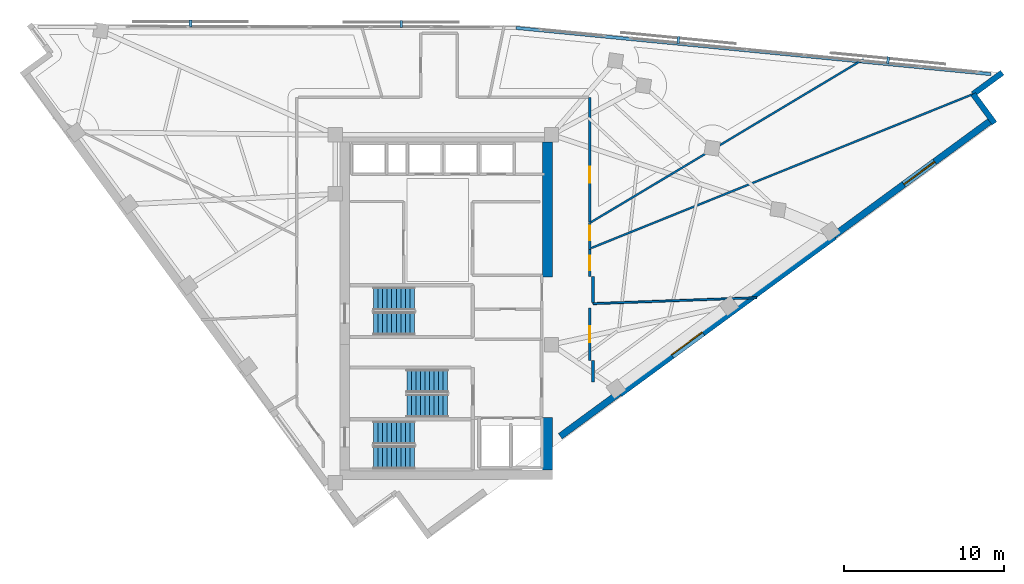
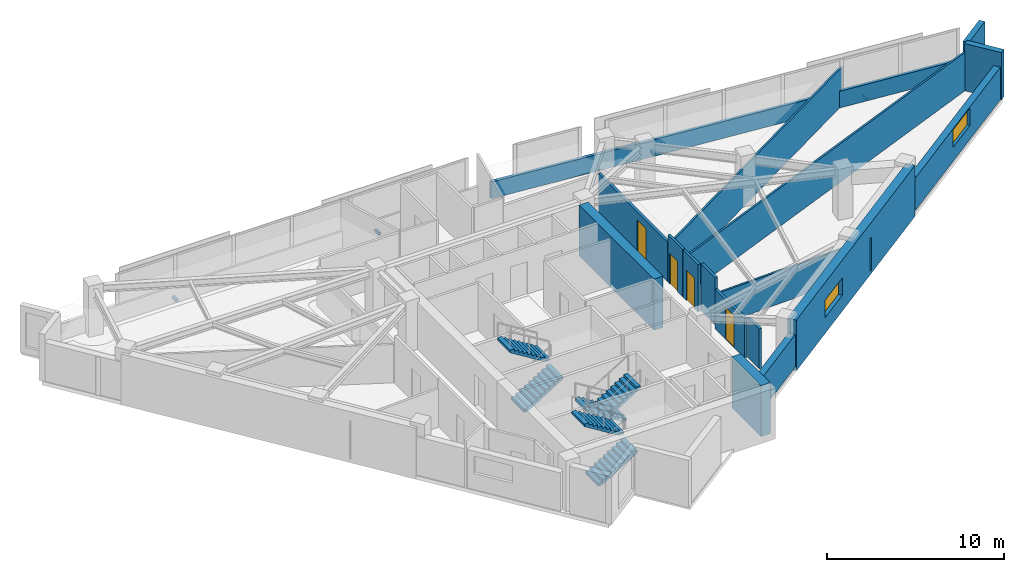
# One storey, part 11 of 13: 17 walls, 6 stair flights, 4 discrete accessories, 4 doors, 2 windows, 6 openings, 3 elements without a shape of their own.
"""IFC4 building model written with IfcOpenShell, lengths in metres."""

from ifc_helpers import new_model, si_unit, direction, frame, frame_2d, origin, origin_2d, place, context, subcontext, project, spatial, polyline, rectangle, outline, extrude, material, layer, layer_set, type_object, element, fill, aggregate, save


model = new_model("IFC4")

# Units and contexts
model_context = context("Model", 3, precision=1e-05, world=origin(), true_north=direction((0.0, 1.0)))
body_context = subcontext(model_context, "Body", "Model", "MODEL_VIEW")
ifc_project = project(units=[si_unit("LENGTHUNIT", "METRE"), si_unit("AREAUNIT", "SQUARE_METRE"), si_unit("VOLUMEUNIT", "CUBIC_METRE"), si_unit("PLANEANGLEUNIT", "RADIAN"), si_unit("MASSUNIT", "GRAM", prefix="KILO")], contexts=[model_context])

# Site, building, storey
site_placement = place(None, origin())
site = spatial("IfcSite", under=ifc_project, at=site_placement, CompositionType="ELEMENT")
building_placement = place(site_placement, origin())
building = spatial("IfcBuilding", under=site, at=building_placement, Name="Narakoshi Arena Tower", CompositionType="ELEMENT")
storey_placement = place(building_placement, frame((0.0, 0.0, 253.699951171875)))
storey = spatial("IfcBuildingStorey", under=building, at=storey_placement, Name="L69", CompositionType="ELEMENT", Elevation=253.699951171875)

# Walls
ifc_material_1 = material(Name="Concrete C50/60", Category="concrete")
ifc_layer_1 = layer(ifc_material_1, 0.60009765625)
ifc_layer_set_1 = layer_set([ifc_layer_1], Name="Concrete C50/60")
wall_type_1 = type_object("IfcWallType", Name="WL-CORE-600", PredefinedType="SHEAR", material=ifc_layer_set_1)
wall_1_placement = place(storey_placement, frame((85.300048828125, 35.5, -0.260009765625), z_axis=(0.0, 0.0, 1.0), x_axis=(0.0, 1.0, 0.0)))
element("IfcWall", 1, at=wall_1_placement, inside=storey, type_object=wall_type_1, Name="L69 Central Core Shear Wall CW-APX-E", PredefinedType="SHEAR", context=body_context, shape_type="SweptSolid", body=[
    extrude(rectangle(XDim=3.300048828125, YDim=0.60009765625, at=frame_2d((1.64990234375, 0.0))), origin(), (0.0, 0.0, 1.0), 3.52001953125),
])
wall_2_placement = place(storey_placement, frame((85.300048828125, 47.60009765625, -0.260009765625), z_axis=(0.0, 0.0, 1.0), x_axis=(0.0, 1.0, 0.0)))
element("IfcWall", 2, at=wall_2_placement, inside=storey, type_object=wall_type_1, Name="L69 Main Core Shear Wall CW-MN-E", PredefinedType="SHEAR", context=body_context, shape_type="SweptSolid", body=[
    extrude(rectangle(XDim=8.449951171875, YDim=0.60009765625, at=frame_2d((4.22509765625, 0.0))), origin(), (0.0, 0.0, 1.0), 3.52001953125),
])

# Wall, opening, door
ifc_material_2 = material(Name="Gypsum plasterboard fire-rated partition")
ifc_layer_2 = layer(ifc_material_2, 0.1650390625)
ifc_layer_set_2 = layer_set([ifc_layer_2], Name="Gypsum plasterboard fire-rated partition")
wall_type_2 = type_object("IfcWallType", Name="WL-CORR-165", PredefinedType="PARTITIONING", material=ifc_layer_set_2)
wall_3_placement = place(storey_placement, frame((87.949951171875, 42.35009765625, 0.0), z_axis=(0.0, 0.0, 1.0), x_axis=(0.0, 1.0, 0.0)))
wall_3 = element("IfcWall", 3, at=wall_3_placement, inside=storey, type_object=wall_type_2, Name="L69 Corridor Partition 03-1", PredefinedType="PARTITIONING", context=body_context, shape_type="SweptSolid", body=[
    extrude(rectangle(XDim=3.2998046875, YDim=0.1650390625, at=frame_2d((1.64990234375, 0.0))), origin(), (0.0, 0.0, 1.0), 2.7451171875),
])
opening_1_placement = place(wall_3_placement, frame((1.14990234375, 0.0, 0.0)))
opening_1 = element("IfcOpeningElement", 4, at=opening_1_placement, cuts=wall_3, Name="Opening D-06", PredefinedType="OPENING", context=body_context, shape_type="SweptSolid", body=[
    extrude(rectangle(XDim=1.0, YDim=2.199951171875, at=frame_2d((0.5, 1.10009765625))), frame((0.0, 0.092529296875, 0.0), z_axis=(0.0, -1.0, 0.0), x_axis=(1.0, 0.0, 0.0)), (0.0, 0.0, 1.0), 0.18505859375),
])
ifc_material_3 = material(Name="Stained oak solid-core timber", Category="wood")
door_type_1 = type_object("IfcDoorType", Name="DR-OFF-1000", OperationType="NOTDEFINED", PredefinedType="DOOR", material=ifc_material_3)
door_1_placement = place(opening_1_placement, frame((1.0, 0.0, 0.0), z_axis=(0.0, 0.0, 1.0), x_axis=(-1.0, 0.0, 0.0)))
door_1 = element("IfcDoor", 5, at=door_1_placement, inside=storey, type_object=door_type_1, Name="DR-L69-016", OperationType="SINGLE_SWING_LEFT", OverallHeight=2.199951171875, OverallWidth=1.0, PredefinedType="DOOR", context=body_context, shape_type="SweptSolid", body=[
    extrude(rectangle(XDim=1.0, YDim=2.199951171875, at=frame_2d((0.5, 1.10009765625))), frame((0.0, 0.02490234375, 0.0), z_axis=(0.0, -1.0, 0.0), x_axis=(1.0, 0.0, 0.0)), (0.0, 0.0, 1.0), 0.050048828125),
])
fill(opening_1, door_1)

# Wall
wall_4_placement = place(storey_placement, frame((88.14990234375, 41.022705078125, 0.0), z_axis=(0.0, 0.0, 1.0), x_axis=(0.0, 1.0, 0.0)))
element("IfcWall", 6, at=wall_4_placement, inside=storey, type_object=wall_type_2, Name="L69 Corridor Partition 03-2", PredefinedType="PARTITIONING", context=body_context, shape_type="SweptSolid", body=[
    extrude(rectangle(XDim=1.327392578125, YDim=0.1650390625, at=frame_2d((0.66357421875, 0.0))), origin(), (0.0, 0.0, 1.0), 2.7451171875),
])

# Wall, opening, door
wall_5_placement = place(storey_placement, frame((87.949951171875, 49.326904296875, 0.0), z_axis=(0.0, 0.0, 1.0), x_axis=(0.0, 1.0, 0.0)))
wall_5 = element("IfcWall", 7, at=wall_5_placement, inside=storey, type_object=wall_type_2, Name="L69 Corridor Partition 04-1", PredefinedType="PARTITIONING", context=body_context, shape_type="SweptSolid", body=[
    extrude(rectangle(XDim=1.68115234375, YDim=0.1650390625, at=frame_2d((0.840576171875, 0.0))), origin(), (0.0, 0.0, 1.0), 3.260009765625),
])
opening_2_placement = place(wall_5_placement, frame((0.56591796875, 0.0, 0.0)))
opening_2 = element("IfcOpeningElement", 8, at=opening_2_placement, cuts=wall_5, Name="Opening D-08", PredefinedType="OPENING", context=body_context, shape_type="SweptSolid", body=[
    extrude(rectangle(XDim=0.89990234375, YDim=2.10009765625, at=frame_2d((0.449951171875, 1.050048828125))), frame((0.0, 0.092529296875, 0.0), z_axis=(0.0, -1.0, 0.0), x_axis=(1.0, 0.0, 0.0)), (0.0, 0.0, 1.0), 0.18505859375),
])
ifc_material_4 = material(Name="Moisture-resistant laminate timber", Category="wood")
door_type_2 = type_object("IfcDoorType", Name="DR-WC-900", OperationType="NOTDEFINED", PredefinedType="DOOR", material=ifc_material_4)
door_2_placement = place(opening_2_placement, frame((0.89990234375, 0.0, 0.0), z_axis=(0.0, 0.0, 1.0), x_axis=(-1.0, 0.0, 0.0)))
door_2 = element("IfcDoor", 9, at=door_2_placement, inside=storey, type_object=door_type_2, Name="DR-L69-017", OperationType="SINGLE_SWING_RIGHT", OverallHeight=2.10009765625, OverallWidth=0.89990234375, PredefinedType="DOOR", context=body_context, shape_type="SweptSolid", body=[
    extrude(rectangle(XDim=0.89990234375, YDim=2.10009765625, at=frame_2d((0.449951171875, 1.050048828125))), frame((0.0, 0.02490234375, 0.0), z_axis=(0.0, -1.0, 0.0), x_axis=(1.0, 0.0, 0.0)), (0.0, 0.0, 1.0), 0.050048828125),
])
fill(opening_2, door_2)

wall_6_placement = place(storey_placement, frame((87.949951171875, 47.6201171875, 0.0), z_axis=(0.0, 0.0, 1.0), x_axis=(0.0, 1.0, 0.0)))
wall_6 = element("IfcWall", 10, at=wall_6_placement, inside=storey, type_object=wall_type_2, Name="L69 Corridor Partition 05-1", PredefinedType="PARTITIONING", context=body_context, shape_type="SweptSolid", body=[
    extrude(rectangle(XDim=1.680908203125, YDim=0.1650390625, at=frame_2d((0.84033203125, 0.0))), origin(), (0.0, 0.0, 1.0), 3.260009765625),
])
opening_3_placement = place(wall_6_placement, frame((0.390625, 0.0, 0.0)))
opening_3 = element("IfcOpeningElement", 11, at=opening_3_placement, cuts=wall_6, Name="Opening D-08", PredefinedType="OPENING", context=body_context, shape_type="SweptSolid", body=[
    extrude(rectangle(XDim=0.89990234375, YDim=2.10009765625, at=frame_2d((0.449951171875, 1.050048828125))), frame((0.0, 0.092529296875, 0.0), z_axis=(0.0, -1.0, 0.0), x_axis=(1.0, 0.0, 0.0)), (0.0, 0.0, 1.0), 0.18505859375),
])
door_3_placement = place(opening_3_placement, frame((0.89990234375, 0.0, 0.0), z_axis=(0.0, 0.0, 1.0), x_axis=(-1.0, 0.0, 0.0)))
door_3 = element("IfcDoor", 12, at=door_3_placement, inside=storey, type_object=door_type_2, Name="DR-L69-018", OperationType="SINGLE_SWING_LEFT", OverallHeight=2.10009765625, OverallWidth=0.89990234375, PredefinedType="DOOR", context=body_context, shape_type="SweptSolid", body=[
    extrude(rectangle(XDim=0.89990234375, YDim=2.10009765625, at=frame_2d((0.449951171875, 1.050048828125))), frame((0.0, 0.02490234375, 0.0), z_axis=(0.0, -1.0, 0.0), x_axis=(1.0, 0.0, 0.0)), (0.0, 0.0, 1.0), 0.050048828125),
])
fill(opening_3, door_3)

# Wall
wall_7_placement = place(storey_placement, frame((88.14990234375, 45.993896484375, 0.0), z_axis=(0.0, 0.0, 1.0), x_axis=(0.0, 1.0, 0.0)))
element("IfcWall", 13, at=wall_7_placement, inside=storey, type_object=wall_type_2, Name="L69 Corridor Partition 05-2", PredefinedType="PARTITIONING", context=body_context, shape_type="SweptSolid", body=[
    extrude(rectangle(XDim=1.626220703125, YDim=0.1650390625, at=frame_2d((0.81298828125, 0.0))), origin(), (0.0, 0.0, 1.0), 3.260009765625),
])

# Wall, opening, door
wall_8_placement = place(storey_placement, frame((87.949951171875, 51.035888671875, 0.0), z_axis=(0.0, 0.0, 1.0), x_axis=(0.0, 1.0, 0.0)))
wall_8 = element("IfcWall", 14, at=wall_8_placement, inside=storey, type_object=wall_type_2, Name="L69 Corridor Partition 06-1", PredefinedType="PARTITIONING", context=body_context, shape_type="SweptSolid", body=[
    extrude(rectangle(XDim=7.814208984375, YDim=0.1650390625, at=frame_2d((3.9072265625, 0.0))), origin(), (0.0, 0.0, 1.0), 2.7451171875),
])
opening_4_placement = place(wall_8_placement, frame((2.44482421875, 0.0, 0.0)))
opening_4 = element("IfcOpeningElement", 15, at=opening_4_placement, cuts=wall_8, Name="Opening D-06", PredefinedType="OPENING", context=body_context, shape_type="SweptSolid", body=[
    extrude(rectangle(XDim=1.0, YDim=2.199951171875, at=frame_2d((0.5, 1.10009765625))), frame((0.0, 0.092529296875, 0.0), z_axis=(0.0, -1.0, 0.0), x_axis=(1.0, 0.0, 0.0)), (0.0, 0.0, 1.0), 0.18505859375),
])
door_4_placement = place(opening_4_placement, frame((1.0, 0.0, 0.0), z_axis=(0.0, 0.0, 1.0), x_axis=(-1.0, 0.0, 0.0)))
door_4 = element("IfcDoor", 16, at=door_4_placement, inside=storey, type_object=door_type_1, Name="DR-L69-019", OperationType="SINGLE_SWING_RIGHT", OverallHeight=2.199951171875, OverallWidth=1.0, PredefinedType="DOOR", context=body_context, shape_type="SweptSolid", body=[
    extrude(rectangle(XDim=1.0, YDim=2.199951171875, at=frame_2d((0.5, 1.10009765625))), frame((0.0, 0.02490234375, 0.0), z_axis=(0.0, -1.0, 0.0), x_axis=(1.0, 0.0, 0.0)), (0.0, 0.0, 1.0), 0.050048828125),
])
fill(opening_4, door_4)

# Wall, opening, window
ifc_layer_3 = layer(ifc_material_1, 0.550048828125)
ifc_layer_set_3 = layer_set([ifc_layer_3], Name="Concrete C50/60")
wall_type_3 = type_object("IfcWallType", Name="WL-LEG-550", PredefinedType="SHEAR", material=ifc_layer_set_3)
wall_9_placement = place(storey_placement, frame((89.79052734375, 40.31640625, -0.260009765625), z_axis=(0.0, 0.0, 1.0), x_axis=(0.806449218078, 0.591303355868, 0.0)))
wall_9 = element("IfcWall", 17, at=wall_9_placement, inside=storey, type_object=wall_type_3, Name="L69 Architectural Concrete Structural Wall LEGA-3", PredefinedType="SHEAR", context=body_context, shape_type="SweptSolid", body=[
    extrude(rectangle(XDim=16.673095703125, YDim=0.550048828125, at=frame_2d((8.33642578125, 0.0))), origin(), (0.0, 0.0, 1.0), 3.52001953125),
])
opening_5_placement = place(wall_9_placement, frame((4.0537109375, 0.0, 1.10009765625)))
opening_5 = element("IfcOpeningElement", 18, at=opening_5_placement, cuts=wall_9, Name="Opening WN-04", PredefinedType="OPENING", context=body_context, shape_type="SweptSolid", body=[
    extrude(rectangle(XDim=2.39990234375, YDim=1.199951171875, at=frame_2d((1.199951171875, 0.60009765625))), frame((0.0, 0.284912109375, 0.0), z_axis=(0.0, -1.0, 0.0), x_axis=(1.0, 0.0, 0.0)), (0.0, 0.0, 1.0), 0.570068359375),
])
ifc_material_5 = material(Name="Bronze-tinted low-E laminated glass", Category="glass")
window_type = type_object("IfcWindowType", Name="WIN-SLT-24x12", PartitioningType="SINGLE_PANEL", PredefinedType="WINDOW", material=ifc_material_5)
window_1_placement = place(opening_5_placement, origin())
window_1 = element("IfcWindow", 19, at=window_1_placement, inside=storey, type_object=window_type, Name="L69 LEGA3 Horizontal Slot Window 1", OverallHeight=1.199951171875, OverallWidth=2.39990234375, PartitioningType="SINGLE_PANEL", PredefinedType="WINDOW", context=body_context, shape_type="SweptSolid", body=[
    extrude(rectangle(XDim=2.39990234375, YDim=1.199951171875, at=frame_2d((1.199951171875, 0.60009765625))), frame((0.0, 0.030029296875, 0.0), z_axis=(0.0, -1.0, 0.0), x_axis=(1.0, 0.0, 0.0)), (0.0, 0.0, 1.0), 0.06005859375),
])
fill(opening_5, window_1)

# Walls
ifc_material_6 = material(Name="Precast concrete C45/55", Category="concrete")
ifc_layer_4 = layer(ifc_material_6, 0.25)
ifc_layer_set_4 = layer_set([ifc_layer_4], Name="Precast concrete C45/55")
wall_type_4 = type_object("IfcWallType", Name="WL-PARA-250", PredefinedType="PARAPET", material=ifc_layer_set_4)
wall_10_placement = place(storey_placement, frame((113.093505859375, 60.296630859375, 0.0), z_axis=(0.0, 0.0, 1.0), x_axis=(-0.995299069493, 0.096849172769, 0.0)))
element("IfcWall", 20, at=wall_10_placement, inside=storey, type_object=wall_type_4, Name="L69 Hypotenuse Sill Upstand Parapet 1-01", PredefinedType="PARAPET", context=body_context, shape_type="SweptSolid", body=[
    extrude(rectangle(XDim=29.917236328125, YDim=0.199951171875, at=frame_2d((14.95849609375, 0.0))), origin(), (0.0, 0.0, 1.0), 1.150146484375),
])
ifc_layer_5 = layer(ifc_material_2, 0.125)
ifc_layer_set_5 = layer_set([ifc_layer_5], Name="Gypsum plasterboard fire-rated partition")
wall_type_5 = type_object("IfcWallType", Name="WL-PART-125", PredefinedType="PARTITIONING", material=ifc_layer_set_5)
wall_11_placement = place(storey_placement, frame((88.14990234375, 45.91943359375, 0.0), z_axis=(0.0, 0.0, 1.0), x_axis=(0.999340785411, 0.036304195556, 0.0)))
element("IfcWall", 21, at=wall_11_placement, inside=storey, type_object=wall_type_5, Name="L69 Inter-Room Partition 03-05", PredefinedType="PARTITIONING", context=body_context, shape_type="SweptSolid", body=[
    extrude(rectangle(XDim=10.26220703125, YDim=0.125, at=frame_2d((5.131103515625, 0.0))), origin(), (0.0, 0.0, 1.0), 2.2451171875),
])
wall_12_placement = place(storey_placement, frame((111.96533203125, 59.047607421875, 0.0), z_axis=(0.0, 0.0, 1.0), x_axis=(-0.927467946242, -0.373902672755, 0.0)))
element("IfcWall", 22, at=wall_12_placement, inside=storey, type_object=wall_type_5, Name="L69 Inter-Room Partition 04-05", PredefinedType="PARTITIONING", context=body_context, shape_type="SweptSolid", body=[
    extrude(rectangle(XDim=25.79150390625, YDim=0.125, at=frame_2d((12.895751953125, 0.0))), origin(), (0.0, 0.0, 1.0), 2.64501953125),
])
wall_13_placement = place(storey_placement, frame((88.00341796875, 51.008056640625, 0.0), z_axis=(0.0, 0.0, 1.0), x_axis=(0.858231539946, 0.513262723995, 0.0)))
element("IfcWall", 23, at=wall_13_placement, inside=storey, type_object=wall_type_5, Name="L69 Inter-Room Partition 04-06", PredefinedType="PARTITIONING", context=body_context, shape_type="SweptSolid", body=[
    extrude(rectangle(XDim=19.925048828125, YDim=0.125, at=frame_2d((9.96240234375, 0.0))), origin(), (0.0, 0.0, 1.0), 2.64501953125),
])
ifc_layer_6 = layer(ifc_material_6, 0.419921875)
ifc_layer_set_6 = layer_set([ifc_layer_6], Name="Precast concrete C45/55")
wall_type_6 = type_object("IfcWallType", Name="WL-POD-420", PredefinedType="SOLIDWALL", material=ifc_layer_set_6)
wall_14_placement = place(storey_placement, frame((86.10009765625, 37.6103515625, 0.0), z_axis=(0.0, 0.0, 1.0), x_axis=(0.806432132361, 0.591326657521, 0.0)))
element("IfcWall", 24, at=wall_14_placement, inside=storey, type_object=wall_type_6, Name="L69 Architectural Concrete Facade Wall LEGA-2", PredefinedType="SOLIDWALL", context=body_context, shape_type="SweptSolid", body=[
    extrude(rectangle(XDim=4.576171875, YDim=0.419921875, at=frame_2d((2.2880859375, 0.0))), origin(), (0.0, 0.0, 1.0), 2.2451171875),
])

# Wall, opening, window
wall_15_placement = place(storey_placement, frame((103.236572265625, 50.17529296875, 0.0), z_axis=(0.0, 0.0, 1.0), x_axis=(0.80643721533, 0.591319725471, 0.0)))
wall_15 = element("IfcWall", 25, at=wall_15_placement, inside=storey, type_object=wall_type_6, Name="L69 Architectural Concrete Facade Wall LEGA-4", PredefinedType="SOLIDWALL", context=body_context, shape_type="SweptSolid", body=[
    extrude(rectangle(XDim=12.285400390625, YDim=0.419921875, at=frame_2d((6.142578125, 0.0))), origin(), (0.0, 0.0, 1.0), 2.2451171875),
])
opening_6_placement = place(wall_15_placement, frame((5.443359375, 0.0, 0.965087890625)))
opening_6 = element("IfcOpeningElement", 26, at=opening_6_placement, cuts=wall_15, Name="Opening WN-04", PredefinedType="OPENING", context=body_context, shape_type="SweptSolid", body=[
    extrude(rectangle(XDim=2.39990234375, YDim=1.199951171875, at=frame_2d((1.199951171875, 0.60009765625))), frame((0.0, 0.219970703125, 0.0), z_axis=(0.0, -1.0, 0.0), x_axis=(1.0, 0.0, 0.0)), (0.0, 0.0, 1.0), 0.43994140625),
])
window_2_placement = place(opening_6_placement, origin())
window_2 = element("IfcWindow", 27, at=window_2_placement, inside=storey, type_object=window_type, Name="L69 LEGA4 Horizontal Slot Window 1", OverallHeight=1.199951171875, OverallWidth=2.39990234375, PartitioningType="SINGLE_PANEL", PredefinedType="WINDOW", context=body_context, shape_type="SweptSolid", body=[
    extrude(rectangle(XDim=2.39990234375, YDim=1.199951171875, at=frame_2d((1.199951171875, 0.60009765625))), frame((0.0, 0.030029296875, 0.0), z_axis=(0.0, -1.0, 0.0), x_axis=(1.0, 0.0, 0.0)), (0.0, 0.0, 1.0), 0.06005859375),
])
fill(opening_6, window_2)

# Walls
wall_16_placement = place(storey_placement, frame((113.306640625, 57.218017578125, 0.0), z_axis=(0.0, 0.0, 1.0), x_axis=(-0.591251685745, 0.806487101015, 0.0)))
element("IfcWall", 28, at=wall_16_placement, inside=storey, type_object=wall_type_6, Name="L69 Re-Entrant Corner Notch Wall NTE-1", PredefinedType="SOLIDWALL", context=body_context, shape_type="SweptSolid", body=[
    extrude(rectangle(XDim=2.2685546875, YDim=0.360107421875, at=frame_2d((1.13427734375, 0.0))), origin(), (0.0, 0.0, 1.0), 3.260009765625),
])
wall_17_placement = place(storey_placement, frame((111.96533203125, 59.047607421875, 0.0), z_axis=(0.0, 0.0, 1.0), x_axis=(0.806435785153, 0.59132167593, 0.0)))
element("IfcWall", 29, at=wall_17_placement, inside=storey, type_object=wall_type_6, Name="L69 Re-Entrant Corner Notch Wall NTE-2", PredefinedType="SOLIDWALL", context=body_context, shape_type="SweptSolid", body=[
    extrude(rectangle(XDim=2.268798828125, YDim=0.360107421875, at=frame_2d((1.13427734375, 0.0))), origin(), (0.0, 0.0, 1.0), 3.260009765625),
])

# Stair, stair flights
ifc_material_7 = material(Name="Concrete C45/55", Category="concrete")
stair_type = type_object("IfcStairType", Name="STR-CORE-352", PredefinedType="TWO_STRAIGHT_RUN_STAIR", material=ifc_material_7)
stair_1_placement = place(storey_placement, origin())
stair_1 = element("IfcStair", 30, at=stair_1_placement, inside=storey, type_object=stair_type, Name="L69 Core Escape Stair ST1", PredefinedType="TWO_STRAIGHT_RUN_STAIR")
stair_flight_type = type_object("IfcStairFlightType", Name="FLT-145-160", PredefinedType="STRAIGHT", material=ifc_material_6)
stair_flight_1_placement = place(storey_placement, frame((74.39990234375, 36.27490234375, 0.0), z_axis=(0.0, 0.0, 1.0), x_axis=(1.0, 0.0, 0.0)))
stair_flight_1 = element("IfcStairFlight", 31, at=stair_flight_1_placement, type_object=stair_flight_type, Name="ST1 flight 1", NumberOfRisers=10, NumberOfTreads=9, PredefinedType="STRAIGHT", RiserHeight=0.176, TreadLength=0.285, context=body_context, shape_type="SweptSolid", body=[
    extrude(outline(polyline([(0.0, 0.0), (0.0, 0.176025390625), (0.284912109375, 0.176025390625), (0.284912109375, 0.35205078125), (0.570068359375, 0.35205078125), (0.570068359375, 0.528076171875), (0.85498046875, 0.528076171875), (0.85498046875, 0.7041015625), (1.139892578125, 0.7041015625), (1.139892578125, 0.8798828125), (1.425048828125, 0.8798828125), (1.425048828125, 1.055908203125), (1.7099609375, 1.055908203125), (1.7099609375, 1.23193359375), (1.9951171875, 1.23193359375), (1.9951171875, 1.407958984375), (2.280029296875, 1.407958984375), (2.280029296875, 1.583984375), (2.56494140625, 1.583984375), (2.56494140625, 1.760009765625), (2.56494140625, 1.40771484375), (0.285400390625, 0.0), (0.0, 0.0)])), frame((0.0, 0.72509765625, 0.0), z_axis=(0.0, -1.0, 0.0), x_axis=(1.0, 0.0, 0.0)), (0.0, 0.0, 1.0), 1.449951171875),
])
stair_flight_2_placement = place(storey_placement, frame((76.965087890625, 37.824951171875, 1.760009765625), z_axis=(0.0, 0.0, 1.0), x_axis=(-1.0, 0.0, 0.0)))
stair_flight_2 = element("IfcStairFlight", 32, at=stair_flight_2_placement, type_object=stair_flight_type, Name="ST1 flight 2", NumberOfRisers=10, NumberOfTreads=9, PredefinedType="STRAIGHT", RiserHeight=0.176, TreadLength=0.285, context=body_context, shape_type="SweptSolid", body=[
    extrude(outline(polyline([(0.0, 0.0), (0.0, 0.176025390625), (0.284912109375, 0.176025390625), (0.284912109375, 0.35205078125), (0.570068359375, 0.35205078125), (0.570068359375, 0.528076171875), (0.85498046875, 0.528076171875), (0.85498046875, 0.7041015625), (1.139892578125, 0.7041015625), (1.139892578125, 0.8798828125), (1.425048828125, 0.8798828125), (1.425048828125, 1.055908203125), (1.7099609375, 1.055908203125), (1.7099609375, 1.23193359375), (1.9951171875, 1.23193359375), (1.9951171875, 1.407958984375), (2.280029296875, 1.407958984375), (2.280029296875, 1.583984375), (2.56494140625, 1.583984375), (2.56494140625, 1.760009765625), (2.56494140625, 1.40771484375), (0.285400390625, 0.0), (0.0, 0.0)])), frame((0.0, 0.72509765625, 0.0), z_axis=(0.0, -1.0, 0.0), x_axis=(1.0, 0.0, 0.0)), (0.0, 0.0, 1.0), 1.449951171875),
])
aggregate(stair_1, [stair_flight_1, stair_flight_2])

stair_2_placement = place(storey_placement, origin())
stair_2 = element("IfcStair", 33, at=stair_2_placement, inside=storey, type_object=stair_type, Name="L69 Core Escape Stair ST2", PredefinedType="TWO_STRAIGHT_RUN_STAIR")
stair_flight_3_placement = place(storey_placement, frame((79.050048828125, 41.074951171875, 0.0), z_axis=(0.0, 0.0, 1.0), x_axis=(-1.0, 0.0, 0.0)))
stair_flight_3 = element("IfcStairFlight", 34, at=stair_flight_3_placement, type_object=stair_flight_type, Name="ST2 flight 1", NumberOfRisers=10, NumberOfTreads=9, PredefinedType="STRAIGHT", RiserHeight=0.176, TreadLength=0.285, context=body_context, shape_type="SweptSolid", body=[
    extrude(outline(polyline([(0.0, 0.0), (0.0, 0.176025390625), (0.284912109375, 0.176025390625), (0.284912109375, 0.35205078125), (0.570068359375, 0.35205078125), (0.570068359375, 0.528076171875), (0.85498046875, 0.528076171875), (0.85498046875, 0.7041015625), (1.139892578125, 0.7041015625), (1.139892578125, 0.8798828125), (1.425048828125, 0.8798828125), (1.425048828125, 1.055908203125), (1.7099609375, 1.055908203125), (1.7099609375, 1.23193359375), (1.9951171875, 1.23193359375), (1.9951171875, 1.407958984375), (2.280029296875, 1.407958984375), (2.280029296875, 1.583984375), (2.56494140625, 1.583984375), (2.56494140625, 1.760009765625), (2.56494140625, 1.40771484375), (0.285400390625, 0.0), (0.0, 0.0)])), frame((0.0, 0.72509765625, 0.0), z_axis=(0.0, -1.0, 0.0), x_axis=(1.0, 0.0, 0.0)), (0.0, 0.0, 1.0), 1.449951171875),
])
stair_flight_4_placement = place(storey_placement, frame((76.485107421875, 39.52490234375, 1.760009765625), z_axis=(0.0, 0.0, 1.0), x_axis=(1.0, 0.0, 0.0)))
stair_flight_4 = element("IfcStairFlight", 35, at=stair_flight_4_placement, type_object=stair_flight_type, Name="ST2 flight 2", NumberOfRisers=10, NumberOfTreads=9, PredefinedType="STRAIGHT", RiserHeight=0.176, TreadLength=0.285, context=body_context, shape_type="SweptSolid", body=[
    extrude(outline(polyline([(0.0, 0.0), (0.0, 0.176025390625), (0.284912109375, 0.176025390625), (0.284912109375, 0.35205078125), (0.570068359375, 0.35205078125), (0.570068359375, 0.528076171875), (0.85498046875, 0.528076171875), (0.85498046875, 0.7041015625), (1.139892578125, 0.7041015625), (1.139892578125, 0.8798828125), (1.425048828125, 0.8798828125), (1.425048828125, 1.055908203125), (1.7099609375, 1.055908203125), (1.7099609375, 1.23193359375), (1.9951171875, 1.23193359375), (1.9951171875, 1.407958984375), (2.280029296875, 1.407958984375), (2.280029296875, 1.583984375), (2.56494140625, 1.583984375), (2.56494140625, 1.760009765625), (2.56494140625, 1.40771484375), (0.285400390625, 0.0), (0.0, 0.0)])), frame((0.0, 0.72509765625, 0.0), z_axis=(0.0, -1.0, 0.0), x_axis=(1.0, 0.0, 0.0)), (0.0, 0.0, 1.0), 1.449951171875),
])
aggregate(stair_2, [stair_flight_3, stair_flight_4])

stair_3_placement = place(storey_placement, origin())
stair_3 = element("IfcStair", 36, at=stair_3_placement, inside=storey, type_object=stair_type, Name="L69 Core Escape Stair ST3", PredefinedType="TWO_STRAIGHT_RUN_STAIR")
stair_flight_5_placement = place(storey_placement, frame((74.39990234375, 44.675048828125, 0.0), z_axis=(0.0, 0.0, 1.0), x_axis=(1.0, 0.0, 0.0)))
stair_flight_5 = element("IfcStairFlight", 37, at=stair_flight_5_placement, type_object=stair_flight_type, Name="ST3 flight 1", NumberOfRisers=10, NumberOfTreads=9, PredefinedType="STRAIGHT", RiserHeight=0.176, TreadLength=0.285, context=body_context, shape_type="SweptSolid", body=[
    extrude(outline(polyline([(0.0, 0.0), (0.0, 0.176025390625), (0.284912109375, 0.176025390625), (0.284912109375, 0.35205078125), (0.570068359375, 0.35205078125), (0.570068359375, 0.528076171875), (0.85498046875, 0.528076171875), (0.85498046875, 0.7041015625), (1.139892578125, 0.7041015625), (1.139892578125, 0.8798828125), (1.425048828125, 0.8798828125), (1.425048828125, 1.055908203125), (1.7099609375, 1.055908203125), (1.7099609375, 1.23193359375), (1.9951171875, 1.23193359375), (1.9951171875, 1.407958984375), (2.280029296875, 1.407958984375), (2.280029296875, 1.583984375), (2.56494140625, 1.583984375), (2.56494140625, 1.760009765625), (2.56494140625, 1.40771484375), (0.285400390625, 0.0), (0.0, 0.0)])), frame((0.0, 0.72509765625, 0.0), z_axis=(0.0, -1.0, 0.0), x_axis=(1.0, 0.0, 0.0)), (0.0, 0.0, 1.0), 1.449951171875),
])
stair_flight_6_placement = place(storey_placement, frame((76.965087890625, 46.22509765625, 1.760009765625), z_axis=(0.0, 0.0, 1.0), x_axis=(-1.0, 0.0, 0.0)))
stair_flight_6 = element("IfcStairFlight", 38, at=stair_flight_6_placement, type_object=stair_flight_type, Name="ST3 flight 2", NumberOfRisers=10, NumberOfTreads=9, PredefinedType="STRAIGHT", RiserHeight=0.176, TreadLength=0.285, context=body_context, shape_type="SweptSolid", body=[
    extrude(outline(polyline([(0.0, 0.0), (0.0, 0.176025390625), (0.284912109375, 0.176025390625), (0.284912109375, 0.35205078125), (0.570068359375, 0.35205078125), (0.570068359375, 0.528076171875), (0.85498046875, 0.528076171875), (0.85498046875, 0.7041015625), (1.139892578125, 0.7041015625), (1.139892578125, 0.8798828125), (1.425048828125, 0.8798828125), (1.425048828125, 1.055908203125), (1.7099609375, 1.055908203125), (1.7099609375, 1.23193359375), (1.9951171875, 1.23193359375), (1.9951171875, 1.407958984375), (2.280029296875, 1.407958984375), (2.280029296875, 1.583984375), (2.56494140625, 1.583984375), (2.56494140625, 1.760009765625), (2.56494140625, 1.40771484375), (0.285400390625, 0.0), (0.0, 0.0)])), frame((0.0, 0.72509765625, 0.0), z_axis=(0.0, -1.0, 0.0), x_axis=(1.0, 0.0, 0.0)), (0.0, 0.0, 1.0), 1.449951171875),
])
aggregate(stair_3, [stair_flight_5, stair_flight_6])

# Discrete accessories
ifc_material_8 = material(Name="Structural steel S355J2", Category="steel")
discrete_accessory_type = type_object("IfcDiscreteAccessoryType", Name="ACC-BRK-SCR", PredefinedType="BRACKET", material=ifc_material_8)
for number, where, z_axis, x_axis, name in (
    (39, (106.636474609375, 61.166015625, -0.080078125), (0.0, 0.0, 1.0), (-0.995298664587, 0.096853333819, 0.0), "L69 Solar Screen Support Bracket SHD-L69-SCR1-1"),
    (40, (93.498291015625, 62.444580078125, -0.080078125), (0.0, 0.0, 1.0), (-0.995298664587, 0.096853333819, 0.0), "L69 Solar Screen Support Bracket SHD-L69-SCR1-2"),
    (41, (76.1328125, 63.4462890625, -0.080078125), (0.0, 0.0, 1.0), (-0.999998352629, 0.001815141425, 0.0), "L69 Solar Screen Support Bracket SHD-L69-SCR2-1"),
    (42, (62.9326171875, 63.470458984375, -0.080078125), (0.0, 0.0, 1.0), (-0.999998352629, 0.001815141425, 0.0), "L69 Solar Screen Support Bracket SHD-L69-SCR2-2"),
):
    element("IfcDiscreteAccessory", number, at=place(storey_placement, frame(where, z_axis=z_axis, x_axis=x_axis)), inside=storey, type_object=discrete_accessory_type, Name=name, PredefinedType="BRACKET", context=body_context, shape_type="SweptSolid", body=[
        extrude(rectangle(XDim=0.159912109375, YDim=0.43994140625, at=origin_2d()), origin(), (0.0, 0.0, 1.0), 0.199951171875),
    ])

save(model, "model.ifc")
